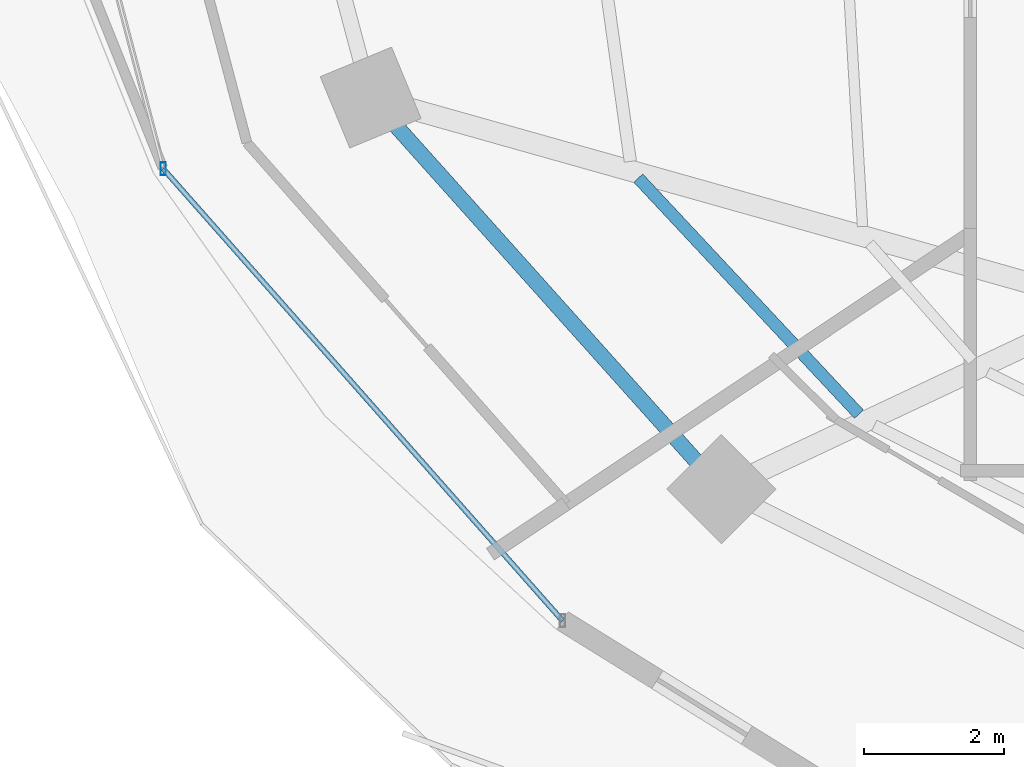
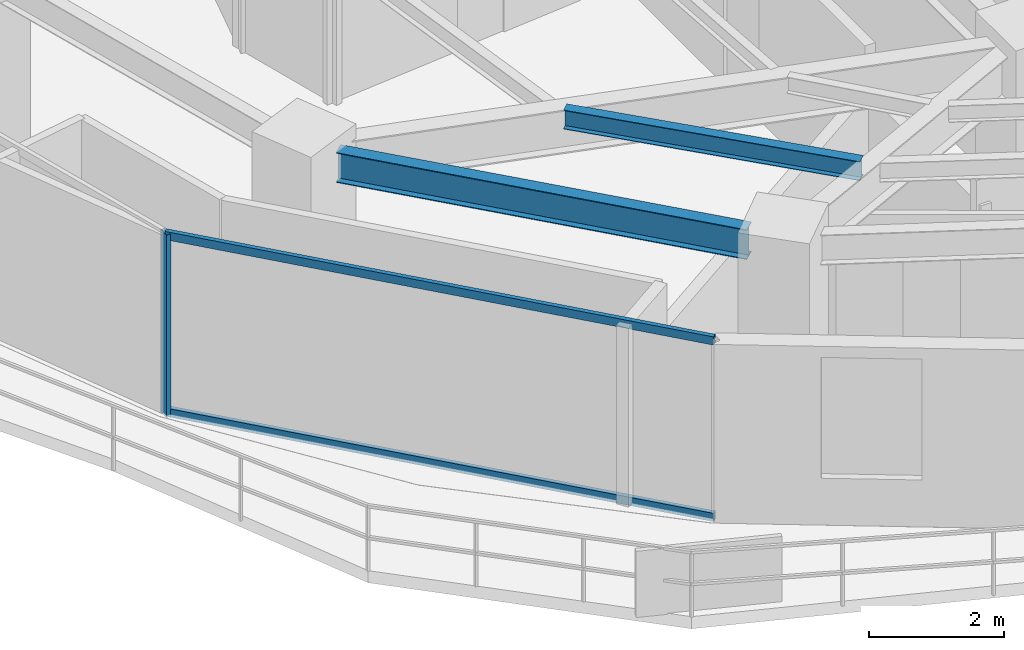
# One storey, part 3 of 30: 3 members, 2 beams, 1 element without a shape of its own.
"""IFC4 building model written with IfcOpenShell, lengths in metres."""

from ifc_helpers import new_model, si_unit, direction, frame, origin, origin_2d, place, context, subcontext, project, spatial, hollow_rectangle, i_section, extrude, material, material_profile, profile_set, type_object, element, aggregate, save


model = new_model("IFC4")

# Units and contexts
model_context = context("Model", 3, precision=1e-05, world=origin(), true_north=direction((0.0, 1.0)))
body_context = subcontext(model_context, "Body", "Model", "MODEL_VIEW")
ifc_project = project(units=[si_unit("LENGTHUNIT", "METRE"), si_unit("AREAUNIT", "SQUARE_METRE"), si_unit("VOLUMEUNIT", "CUBIC_METRE"), si_unit("PLANEANGLEUNIT", "RADIAN"), si_unit("MASSUNIT", "GRAM", prefix="KILO")], contexts=[model_context])

# Site, building, storey
site_placement = place(None, origin())
site = spatial("IfcSite", under=ifc_project, at=site_placement, CompositionType="ELEMENT")
building_placement = place(site_placement, origin())
building = spatial("IfcBuilding", under=site, at=building_placement, Name="Vorneva Point Tower", CompositionType="ELEMENT")
storey_placement = place(building_placement, frame((0.0, 0.0, 78.800048828125)))
storey = spatial("IfcBuildingStorey", under=building, at=storey_placement, Name="L20", CompositionType="ELEMENT", Elevation=78.800048828125)

# Beams
ifc_material_1 = material(Name="Steel S355", Category="steel")
ifc_material_profile_1 = material_profile(ifc_material_1, i_section(OverallWidth=0.174072265625, OverallDepth=0.345947265625, WebThickness=0.006103515625, FlangeThickness=0.009033203125, at=origin_2d()), Name="35B1")
ifc_profile_set_1 = profile_set([ifc_material_profile_1], Name="Steel S355")
beam_type_1 = type_object("IfcBeamType", Name="BM-SEC-35B1", PredefinedType="BEAM", material=ifc_profile_set_1)
beam_1_placement = place(storey_placement, frame((20.517822265625, 18.2705078125, 3.06689453125), z_axis=(0.682901714838, -0.730510265411, 0.0), x_axis=(0.730510265411, 0.682901714838, 0.0)))
element("IfcBeam", 1, at=beam_1_placement, inside=storey, type_object=beam_type_1, Name="L20 Secondary Floor Beam 1.10", PredefinedType="BEAM", context=body_context, shape_type="SweptSolid", body=[
    extrude(i_section(OverallWidth=0.174072265625, OverallDepth=0.345947265625, WebThickness=0.006103515625, FlangeThickness=0.009033203125, at=origin_2d()), origin(), (0.0, 0.0, 1.0), 4.60498046875),
])
ifc_material_profile_2 = material_profile(ifc_material_1, i_section(OverallWidth=0.219970703125, OverallDepth=0.54296875, WebThickness=0.009521484375, FlangeThickness=0.013427734375, at=origin_2d()), Name="55B1")
ifc_profile_set_2 = profile_set([ifc_material_profile_2], Name="Steel S355")
beam_type_2 = type_object("IfcBeamType", Name="BM-SPN-55B1", PredefinedType="SPANDREL", material=ifc_profile_set_2)
beam_2_placement = place(storey_placement, frame((17.0615234375, 19.019287109375, 2.968505859375), z_axis=(0.667073815664, -0.744991627105, 0.0), x_axis=(0.744991627105, 0.667073815664, 0.0)))
element("IfcBeam", 2, at=beam_2_placement, inside=storey, type_object=beam_type_2, Name="L20 Perimeter Spandrel Ring Beam 10", PredefinedType="SPANDREL", context=body_context, shape_type="SweptSolid", body=[
    extrude(i_section(OverallWidth=0.219970703125, OverallDepth=0.54296875, WebThickness=0.009521484375, FlangeThickness=0.013427734375, at=origin_2d()), origin(), (0.0, 0.0, 1.0), 6.420166015625),
])

# Curtain wall, members
ifc_material_2 = material(Name="Pale anodised aluminium", Category="aluminium")
curtain_wall_type = type_object("IfcCurtainWallType", Name="CW-HTL-SYS", PredefinedType="NOTDEFINED", material=ifc_material_2)
curtain_wall_placement = place(storey_placement, origin())
curtain_wall = element("IfcCurtainWall", 3, at=curtain_wall_placement, inside=storey, type_object=curtain_wall_type, Name="L20 Unitised Curtain Wall CW-L20-R02", PredefinedType="NOTDEFINED")
ifc_material_profile_3 = material_profile(ifc_material_2, hollow_rectangle(XDim=0.074951171875, YDim=0.179931640625, WallThickness=0.00390625, at=origin_2d()), Name="AL-MUL 180x75x4")
ifc_profile_set_3 = profile_set([ifc_material_profile_3], Name="Pale anodised aluminium")
member_type_1 = type_object("IfcMemberType", Name="CW-MUL-180", PredefinedType="MULLION", material=ifc_profile_set_3)
member_1_placement = place(storey_placement, frame((13.748291015625, 18.40380859375, -0.0400390625), z_axis=(0.0, 0.0, 1.0), x_axis=(1.0, 0.0, 0.0)))
member_1 = element("IfcMember", 4, at=member_1_placement, type_object=member_type_1, Name="CW-L20-R02 Mullion 04", PredefinedType="MULLION", context=body_context, shape_type="SweptSolid", body=[
    extrude(hollow_rectangle(XDim=0.074951171875, YDim=0.179931640625, WallThickness=0.00390625, at=origin_2d()), origin(), (0.0, 0.0, 1.0), 3.31005859375),
])
ifc_material_profile_4 = material_profile(ifc_material_2, hollow_rectangle(XDim=0.074951171875, YDim=0.14990234375, WallThickness=0.00390625, at=origin_2d()), Name="AL-TRN 150x75x4")
ifc_profile_set_4 = profile_set([ifc_material_profile_4], Name="Pale anodised aluminium")
member_type_2 = type_object("IfcMemberType", Name="CW-TRN-150", PredefinedType="USERDEFINED", material=ifc_profile_set_4)
member_2_placement = place(storey_placement, frame((13.748291015625, 18.40380859375, 0.02001953125), z_axis=(0.662137326257, -0.74938251993, 0.0), x_axis=(0.74938251993, 0.662137326257, 0.0)))
member_2 = element("IfcMember", 5, at=member_2_placement, type_object=member_type_2, Name="CW-L20-R02 Transom 04.1", ObjectType="TRANSOM", PredefinedType="USERDEFINED", context=body_context, shape_type="SweptSolid", body=[
    extrude(hollow_rectangle(XDim=0.074951171875, YDim=0.14990234375, WallThickness=0.00390625, at=origin_2d()), origin(), (0.0, 0.0, 1.0), 8.59375),
])
member_3_placement = place(storey_placement, frame((13.748291015625, 18.40380859375, 3.219970703125), z_axis=(0.662137326257, -0.74938251993, 0.0), x_axis=(0.74938251993, 0.662137326257, 0.0)))
member_3 = element("IfcMember", 6, at=member_3_placement, type_object=member_type_2, Name="CW-L20-R02 Transom 04.2", ObjectType="TRANSOM", PredefinedType="USERDEFINED", context=body_context, shape_type="SweptSolid", body=[
    extrude(hollow_rectangle(XDim=0.074951171875, YDim=0.14990234375, WallThickness=0.00390625, at=origin_2d()), origin(), (0.0, 0.0, 1.0), 8.59375),
])
aggregate(curtain_wall, [member_1, member_2, member_3])

save(model, "model.ifc")
